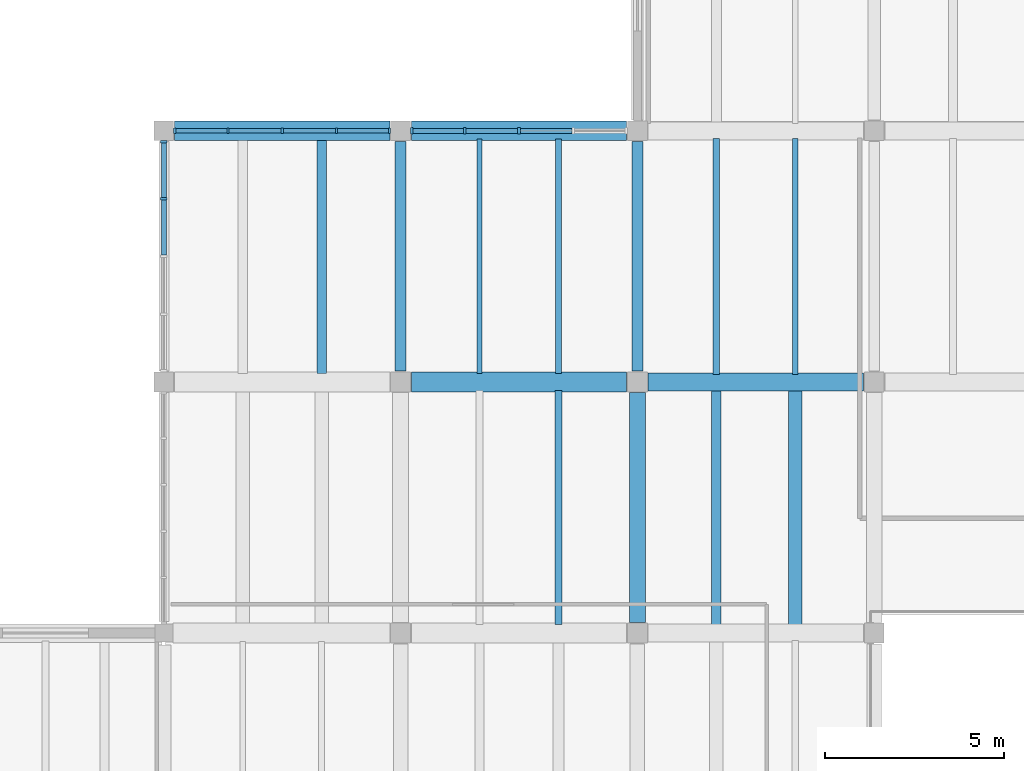
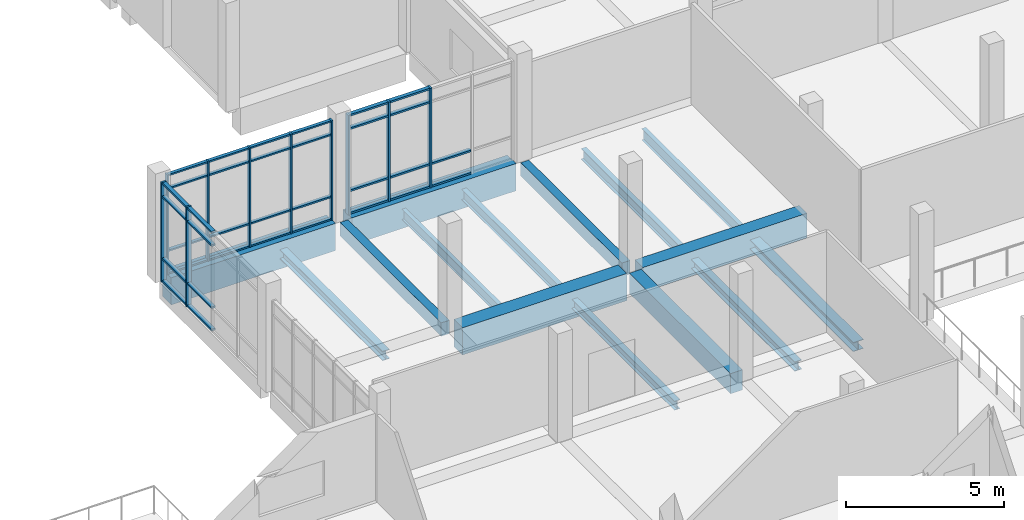
# One storey, part 7 of 65: 44 members, 15 beams, 3 elements without a shape of their own.
"""IFC4 building model written with IfcOpenShell, lengths in metres."""

from ifc_helpers import new_model, si_unit, direction, frame, origin, origin_2d, place, context, subcontext, project, spatial, rectangle, i_section, extrude, material, material_profile, profile_set, type_object, element, aggregate, save


model = new_model("IFC4")

# Units and contexts
model_context = context("Model", 3, precision=1e-05, world=origin(), true_north=direction((0.0, 1.0)))
body_context = subcontext(model_context, "Body", "Model", "MODEL_VIEW")
ifc_project = project(units=[si_unit("LENGTHUNIT", "METRE"), si_unit("AREAUNIT", "SQUARE_METRE"), si_unit("VOLUMEUNIT", "CUBIC_METRE"), si_unit("PLANEANGLEUNIT", "RADIAN"), si_unit("MASSUNIT", "GRAM", prefix="KILO")], contexts=[model_context])

# Site, building, storey
site_placement = place(None, origin())
site = spatial("IfcSite", under=ifc_project, at=site_placement, CompositionType="ELEMENT")
building_placement = place(site_placement, origin())
building = spatial("IfcBuilding", under=site, at=building_placement, Name="Ciguamira Faculty of Natural Sciences", CompositionType="ELEMENT")
storey_placement = place(building_placement, frame((0.0, 0.0, 12.60009765625)))
storey = spatial("IfcBuildingStorey", under=building, at=storey_placement, Name="L03", CompositionType="ELEMENT", Elevation=12.60009765625)

# Curtain wall, members
ifc_material_1 = material(Name="Anodized aluminium curtain wall", Category="aluminium")
curtain_wall_type_1 = type_object("IfcCurtainWallType", Name="CurtainWall_CW-01", PredefinedType="USERDEFINED", material=ifc_material_1)
curtain_wall_1_placement = place(storey_placement, origin())
curtain_wall_1 = element("IfcCurtainWall", 1, at=curtain_wall_1_placement, inside=storey, type_object=curtain_wall_type_1, Name="L03 unitised curtain wall 0085", ObjectType="UNITISED CURTAIN WALL", PredefinedType="USERDEFINED")
ifc_material_2 = material(Name="Anodized aluminium mullion", Category="aluminium")
ifc_material_profile_1 = material_profile(ifc_material_2, rectangle(XDim=0.06005859375, YDim=0.159912109375, at=origin_2d()), Name="ALU-MUL-60X160")
ifc_profile_set_1 = profile_set([ifc_material_profile_1], Name="Anodized aluminium mullion")
member_type_1 = type_object("IfcMemberType", Name="CWMullion_CWM-01", PredefinedType="MULLION", material=ifc_profile_set_1)
member_1_placement = place(storey_placement, frame((51.0048828125, 38.0, 0.0), z_axis=(0.0, 0.0, 1.0), x_axis=(1.0, 0.0, 0.0)))
member_1 = element("IfcMember", 2, at=member_1_placement, type_object=member_type_1, Name="CW-01 mullion 1", PredefinedType="MULLION", context=body_context, shape_type="SweptSolid", body=[
    extrude(rectangle(XDim=0.06005859375, YDim=0.159912109375, at=origin_2d()), origin(), (0.0, 0.0, 1.0), 3.849853515625),
])
member_2_placement = place(storey_placement, frame((52.487548828125, 38.0, 0.0), z_axis=(0.0, 0.0, 1.0), x_axis=(1.0, 0.0, 0.0)))
member_2 = element("IfcMember", 3, at=member_2_placement, type_object=member_type_1, Name="CW-01 mullion 2", PredefinedType="MULLION", context=body_context, shape_type="SweptSolid", body=[
    extrude(rectangle(XDim=0.06005859375, YDim=0.159912109375, at=origin_2d()), origin(), (0.0, 0.0, 1.0), 3.849853515625),
])
member_3_placement = place(storey_placement, frame((54.0, 38.0, 0.0), z_axis=(0.0, 0.0, 1.0), x_axis=(1.0, 0.0, 0.0)))
member_3 = element("IfcMember", 4, at=member_3_placement, type_object=member_type_1, Name="CW-01 mullion 3", PredefinedType="MULLION", context=body_context, shape_type="SweptSolid", body=[
    extrude(rectangle(XDim=0.06005859375, YDim=0.159912109375, at=origin_2d()), origin(), (0.0, 0.0, 1.0), 3.849853515625),
])
member_4_placement = place(storey_placement, frame((55.512451171875, 38.0, 0.0), z_axis=(0.0, 0.0, 1.0), x_axis=(1.0, 0.0, 0.0)))
member_4 = element("IfcMember", 5, at=member_4_placement, type_object=member_type_1, Name="CW-01 mullion 4", PredefinedType="MULLION", context=body_context, shape_type="SweptSolid", body=[
    extrude(rectangle(XDim=0.06005859375, YDim=0.159912109375, at=origin_2d()), origin(), (0.0, 0.0, 1.0), 3.849853515625),
])
member_5_placement = place(storey_placement, frame((56.9951171875, 38.0, 0.0), z_axis=(0.0, 0.0, 1.0), x_axis=(1.0, 0.0, 0.0)))
member_5 = element("IfcMember", 6, at=member_5_placement, type_object=member_type_1, Name="CW-01 mullion 5", PredefinedType="MULLION", context=body_context, shape_type="SweptSolid", body=[
    extrude(rectangle(XDim=0.06005859375, YDim=0.159912109375, at=origin_2d()), origin(), (0.0, 0.0, 1.0), 3.849853515625),
])

curtain_wall_type_2 = type_object("IfcCurtainWallType", Name="CurtainWall_CW-02", PredefinedType="USERDEFINED", material=ifc_material_1)
curtain_wall_2_placement = place(storey_placement, origin())
curtain_wall_2 = element("IfcCurtainWall", 7, at=curtain_wall_2_placement, inside=storey, type_object=curtain_wall_type_2, Name="L03 unitised curtain wall 0086", ObjectType="UNITISED CURTAIN WALL", PredefinedType="USERDEFINED")
ifc_material_profile_2 = material_profile(ifc_material_2, rectangle(XDim=0.070068359375, YDim=0.179931640625, at=origin_2d()), Name="ALU-MUL-70X180")
ifc_profile_set_2 = profile_set([ifc_material_profile_2], Name="Anodized aluminium mullion")
member_type_2 = type_object("IfcMemberType", Name="CWMullion_CWM-02", PredefinedType="MULLION", material=ifc_profile_set_2)
member_6_placement = place(storey_placement, frame((57.610107421875, 38.0, 0.0), z_axis=(0.0, 0.0, 1.0), x_axis=(1.0, 0.0, 0.0)))
member_6 = element("IfcMember", 8, at=member_6_placement, type_object=member_type_2, Name="CW-02 mullion 1", PredefinedType="MULLION", context=body_context, shape_type="SweptSolid", body=[
    extrude(rectangle(XDim=0.070068359375, YDim=0.179931640625, at=origin_2d()), origin(), (0.0, 0.0, 1.0), 3.849853515625),
])
member_7_placement = place(storey_placement, frame((59.08740234375, 38.0, 0.0), z_axis=(0.0, 0.0, 1.0), x_axis=(1.0, 0.0, 0.0)))
member_7 = element("IfcMember", 9, at=member_7_placement, type_object=member_type_2, Name="CW-02 mullion 2", PredefinedType="MULLION", context=body_context, shape_type="SweptSolid", body=[
    extrude(rectangle(XDim=0.070068359375, YDim=0.179931640625, at=origin_2d()), origin(), (0.0, 0.0, 1.0), 3.849853515625),
])
member_8_placement = place(storey_placement, frame((60.60009765625, 38.0, 0.0), z_axis=(0.0, 0.0, 1.0), x_axis=(1.0, 0.0, 0.0)))
member_8 = element("IfcMember", 10, at=member_8_placement, type_object=member_type_2, Name="CW-02 mullion 3", PredefinedType="MULLION", context=body_context, shape_type="SweptSolid", body=[
    extrude(rectangle(XDim=0.070068359375, YDim=0.179931640625, at=origin_2d()), origin(), (0.0, 0.0, 1.0), 3.849853515625),
])

curtain_wall_type_3 = type_object("IfcCurtainWallType", Name="CurtainWall_CW-05", PredefinedType="USERDEFINED", material=ifc_material_1)
curtain_wall_3_placement = place(storey_placement, origin())
curtain_wall_3 = element("IfcCurtainWall", 11, at=curtain_wall_3_placement, inside=storey, type_object=curtain_wall_type_3, Name="L03 unitised curtain wall 0101", ObjectType="UNITISED CURTAIN WALL", PredefinedType="USERDEFINED")
member_9_placement = place(storey_placement, frame((50.699951171875, 36.112548828125, 0.0), z_axis=(0.0, 0.0, 1.0), x_axis=(0.0, 1.0, 0.0)))
member_9 = element("IfcMember", 12, at=member_9_placement, type_object=member_type_2, Name="CW-05 mullion 4", PredefinedType="MULLION", context=body_context, shape_type="SweptSolid", body=[
    extrude(rectangle(XDim=0.070068359375, YDim=0.179931640625, at=origin_2d()), origin(), (0.0, 0.0, 1.0), 3.849853515625),
])
member_10_placement = place(storey_placement, frame((50.699951171875, 37.68994140625, 0.0), z_axis=(0.0, 0.0, 1.0), x_axis=(0.0, 1.0, 0.0)))
member_10 = element("IfcMember", 13, at=member_10_placement, type_object=member_type_2, Name="CW-05 mullion 5", PredefinedType="MULLION", context=body_context, shape_type="SweptSolid", body=[
    extrude(rectangle(XDim=0.070068359375, YDim=0.179931640625, at=origin_2d()), origin(), (0.0, 0.0, 1.0), 3.849853515625),
])

# Member
ifc_material_3 = material(Name="Anodized aluminium transom", Category="aluminium")
ifc_material_profile_3 = material_profile(ifc_material_3, rectangle(XDim=0.06005859375, YDim=0.1201171875, at=origin_2d()), Name="ALU-TRN-60X120")
ifc_profile_set_3 = profile_set([ifc_material_profile_3], Name="Anodized aluminium transom")
member_type_3 = type_object("IfcMemberType", Name="CWTransom_CWT-01", PredefinedType="USERDEFINED", material=ifc_profile_set_3)
member_11_placement = place(storey_placement, frame((51.034912109375, 38.0, 0.02978515625), z_axis=(1.0, 0.0, 0.0), x_axis=(0.0, 0.0, 1.0)))
member_11 = element("IfcMember", 14, at=member_11_placement, type_object=member_type_3, Name="CW-01 transom 1.1", ObjectType="TRANSOM", PredefinedType="USERDEFINED", context=body_context, shape_type="SweptSolid", body=[
    extrude(rectangle(XDim=0.06005859375, YDim=0.1201171875, at=origin_2d()), origin(), (0.0, 0.0, 1.0), 1.422607421875),
])

member_12_placement = place(storey_placement, frame((51.034912109375, 38.0, 0.89990234375), z_axis=(1.0, 0.0, 0.0), x_axis=(0.0, 0.0, 1.0)))
member_12 = element("IfcMember", 15, at=member_12_placement, type_object=member_type_3, Name="CW-01 transom 1.2", ObjectType="TRANSOM", PredefinedType="USERDEFINED", context=body_context, shape_type="SweptSolid", body=[
    extrude(rectangle(XDim=0.06005859375, YDim=0.1201171875, at=origin_2d()), origin(), (0.0, 0.0, 1.0), 1.422607421875),
])

member_13_placement = place(storey_placement, frame((51.034912109375, 38.0, 3.2998046875), z_axis=(1.0, 0.0, 0.0), x_axis=(0.0, 0.0, 1.0)))
member_13 = element("IfcMember", 16, at=member_13_placement, type_object=member_type_3, Name="CW-01 transom 1.3", ObjectType="TRANSOM", PredefinedType="USERDEFINED", context=body_context, shape_type="SweptSolid", body=[
    extrude(rectangle(XDim=0.06005859375, YDim=0.1201171875, at=origin_2d()), origin(), (0.0, 0.0, 1.0), 1.422607421875),
])

member_14_placement = place(storey_placement, frame((51.034912109375, 38.0, 3.81982421875), z_axis=(1.0, 0.0, 0.0), x_axis=(0.0, 0.0, 1.0)))
member_14 = element("IfcMember", 17, at=member_14_placement, type_object=member_type_3, Name="CW-01 transom 1.4", ObjectType="TRANSOM", PredefinedType="USERDEFINED", context=body_context, shape_type="SweptSolid", body=[
    extrude(rectangle(XDim=0.06005859375, YDim=0.1201171875, at=origin_2d()), origin(), (0.0, 0.0, 1.0), 1.422607421875),
])

member_15_placement = place(storey_placement, frame((52.517578125, 38.0, 0.02978515625), z_axis=(1.0, 0.0, 0.0), x_axis=(0.0, 0.0, 1.0)))
member_15 = element("IfcMember", 18, at=member_15_placement, type_object=member_type_3, Name="CW-01 transom 2.1", ObjectType="TRANSOM", PredefinedType="USERDEFINED", context=body_context, shape_type="SweptSolid", body=[
    extrude(rectangle(XDim=0.06005859375, YDim=0.1201171875, at=origin_2d()), origin(), (0.0, 0.0, 1.0), 1.452392578125),
])

member_16_placement = place(storey_placement, frame((52.517578125, 38.0, 0.89990234375), z_axis=(1.0, 0.0, 0.0), x_axis=(0.0, 0.0, 1.0)))
member_16 = element("IfcMember", 19, at=member_16_placement, type_object=member_type_3, Name="CW-01 transom 2.2", ObjectType="TRANSOM", PredefinedType="USERDEFINED", context=body_context, shape_type="SweptSolid", body=[
    extrude(rectangle(XDim=0.06005859375, YDim=0.1201171875, at=origin_2d()), origin(), (0.0, 0.0, 1.0), 1.452392578125),
])

member_17_placement = place(storey_placement, frame((52.517578125, 38.0, 3.2998046875), z_axis=(1.0, 0.0, 0.0), x_axis=(0.0, 0.0, 1.0)))
member_17 = element("IfcMember", 20, at=member_17_placement, type_object=member_type_3, Name="CW-01 transom 2.3", ObjectType="TRANSOM", PredefinedType="USERDEFINED", context=body_context, shape_type="SweptSolid", body=[
    extrude(rectangle(XDim=0.06005859375, YDim=0.1201171875, at=origin_2d()), origin(), (0.0, 0.0, 1.0), 1.452392578125),
])

member_18_placement = place(storey_placement, frame((52.517578125, 38.0, 3.81982421875), z_axis=(1.0, 0.0, 0.0), x_axis=(0.0, 0.0, 1.0)))
member_18 = element("IfcMember", 21, at=member_18_placement, type_object=member_type_3, Name="CW-01 transom 2.4", ObjectType="TRANSOM", PredefinedType="USERDEFINED", context=body_context, shape_type="SweptSolid", body=[
    extrude(rectangle(XDim=0.06005859375, YDim=0.1201171875, at=origin_2d()), origin(), (0.0, 0.0, 1.0), 1.452392578125),
])

member_19_placement = place(storey_placement, frame((54.030029296875, 38.0, 0.02978515625), z_axis=(1.0, 0.0, 0.0), x_axis=(0.0, 0.0, 1.0)))
member_19 = element("IfcMember", 22, at=member_19_placement, type_object=member_type_3, Name="CW-01 transom 3.1", ObjectType="TRANSOM", PredefinedType="USERDEFINED", context=body_context, shape_type="SweptSolid", body=[
    extrude(rectangle(XDim=0.06005859375, YDim=0.1201171875, at=origin_2d()), origin(), (0.0, 0.0, 1.0), 1.452392578125),
])

member_20_placement = place(storey_placement, frame((54.030029296875, 38.0, 0.89990234375), z_axis=(1.0, 0.0, 0.0), x_axis=(0.0, 0.0, 1.0)))
member_20 = element("IfcMember", 23, at=member_20_placement, type_object=member_type_3, Name="CW-01 transom 3.2", ObjectType="TRANSOM", PredefinedType="USERDEFINED", context=body_context, shape_type="SweptSolid", body=[
    extrude(rectangle(XDim=0.06005859375, YDim=0.1201171875, at=origin_2d()), origin(), (0.0, 0.0, 1.0), 1.452392578125),
])

member_21_placement = place(storey_placement, frame((54.030029296875, 38.0, 3.2998046875), z_axis=(1.0, 0.0, 0.0), x_axis=(0.0, 0.0, 1.0)))
member_21 = element("IfcMember", 24, at=member_21_placement, type_object=member_type_3, Name="CW-01 transom 3.3", ObjectType="TRANSOM", PredefinedType="USERDEFINED", context=body_context, shape_type="SweptSolid", body=[
    extrude(rectangle(XDim=0.06005859375, YDim=0.1201171875, at=origin_2d()), origin(), (0.0, 0.0, 1.0), 1.452392578125),
])

member_22_placement = place(storey_placement, frame((54.030029296875, 38.0, 3.81982421875), z_axis=(1.0, 0.0, 0.0), x_axis=(0.0, 0.0, 1.0)))
member_22 = element("IfcMember", 25, at=member_22_placement, type_object=member_type_3, Name="CW-01 transom 3.4", ObjectType="TRANSOM", PredefinedType="USERDEFINED", context=body_context, shape_type="SweptSolid", body=[
    extrude(rectangle(XDim=0.06005859375, YDim=0.1201171875, at=origin_2d()), origin(), (0.0, 0.0, 1.0), 1.452392578125),
])

member_23_placement = place(storey_placement, frame((55.54248046875, 38.0, 0.02978515625), z_axis=(1.0, 0.0, 0.0), x_axis=(0.0, 0.0, 1.0)))
member_23 = element("IfcMember", 26, at=member_23_placement, type_object=member_type_3, Name="CW-01 transom 4.1", ObjectType="TRANSOM", PredefinedType="USERDEFINED", context=body_context, shape_type="SweptSolid", body=[
    extrude(rectangle(XDim=0.06005859375, YDim=0.1201171875, at=origin_2d()), origin(), (0.0, 0.0, 1.0), 1.422607421875),
])

member_24_placement = place(storey_placement, frame((55.54248046875, 38.0, 0.89990234375), z_axis=(1.0, 0.0, 0.0), x_axis=(0.0, 0.0, 1.0)))
member_24 = element("IfcMember", 27, at=member_24_placement, type_object=member_type_3, Name="CW-01 transom 4.2", ObjectType="TRANSOM", PredefinedType="USERDEFINED", context=body_context, shape_type="SweptSolid", body=[
    extrude(rectangle(XDim=0.06005859375, YDim=0.1201171875, at=origin_2d()), origin(), (0.0, 0.0, 1.0), 1.422607421875),
])

member_25_placement = place(storey_placement, frame((55.54248046875, 38.0, 3.2998046875), z_axis=(1.0, 0.0, 0.0), x_axis=(0.0, 0.0, 1.0)))
member_25 = element("IfcMember", 28, at=member_25_placement, type_object=member_type_3, Name="CW-01 transom 4.3", ObjectType="TRANSOM", PredefinedType="USERDEFINED", context=body_context, shape_type="SweptSolid", body=[
    extrude(rectangle(XDim=0.06005859375, YDim=0.1201171875, at=origin_2d()), origin(), (0.0, 0.0, 1.0), 1.422607421875),
])

member_26_placement = place(storey_placement, frame((55.54248046875, 38.0, 3.81982421875), z_axis=(1.0, 0.0, 0.0), x_axis=(0.0, 0.0, 1.0)))
member_26 = element("IfcMember", 29, at=member_26_placement, type_object=member_type_3, Name="CW-01 transom 4.4", ObjectType="TRANSOM", PredefinedType="USERDEFINED", context=body_context, shape_type="SweptSolid", body=[
    extrude(rectangle(XDim=0.06005859375, YDim=0.1201171875, at=origin_2d()), origin(), (0.0, 0.0, 1.0), 1.422607421875),
])

aggregate(curtain_wall_1, [member_1, member_2, member_3, member_4, member_5, member_11, member_12, member_13, member_14, member_15, member_16, member_17, member_18, member_19, member_20, member_21, member_22, member_23, member_24, member_25, member_26])

ifc_material_profile_4 = material_profile(ifc_material_3, rectangle(XDim=0.070068359375, YDim=0.139892578125, at=origin_2d()), Name="ALU-TRN-70X140")
ifc_profile_set_4 = profile_set([ifc_material_profile_4], Name="Anodized aluminium transom")
member_type_4 = type_object("IfcMemberType", Name="CWTransom_CWT-02", PredefinedType="USERDEFINED", material=ifc_profile_set_4)
member_27_placement = place(storey_placement, frame((57.64501953125, 38.0, 0.034912109375), z_axis=(1.0, 0.0, 0.0), x_axis=(0.0, 0.0, 1.0)))
member_27 = element("IfcMember", 30, at=member_27_placement, type_object=member_type_4, Name="CW-02 transom 1.1", ObjectType="TRANSOM", PredefinedType="USERDEFINED", context=body_context, shape_type="SweptSolid", body=[
    extrude(rectangle(XDim=0.070068359375, YDim=0.139892578125, at=origin_2d()), origin(), (0.0, 0.0, 1.0), 1.407470703125),
])

member_28_placement = place(storey_placement, frame((57.64501953125, 38.0, 0.89990234375), z_axis=(1.0, 0.0, 0.0), x_axis=(0.0, 0.0, 1.0)))
member_28 = element("IfcMember", 31, at=member_28_placement, type_object=member_type_4, Name="CW-02 transom 1.2", ObjectType="TRANSOM", PredefinedType="USERDEFINED", context=body_context, shape_type="SweptSolid", body=[
    extrude(rectangle(XDim=0.070068359375, YDim=0.139892578125, at=origin_2d()), origin(), (0.0, 0.0, 1.0), 1.407470703125),
])

member_29_placement = place(storey_placement, frame((57.64501953125, 38.0, 3.2998046875), z_axis=(1.0, 0.0, 0.0), x_axis=(0.0, 0.0, 1.0)))
member_29 = element("IfcMember", 32, at=member_29_placement, type_object=member_type_4, Name="CW-02 transom 1.3", ObjectType="TRANSOM", PredefinedType="USERDEFINED", context=body_context, shape_type="SweptSolid", body=[
    extrude(rectangle(XDim=0.070068359375, YDim=0.139892578125, at=origin_2d()), origin(), (0.0, 0.0, 1.0), 1.407470703125),
])

member_30_placement = place(storey_placement, frame((57.64501953125, 38.0, 3.81494140625), z_axis=(1.0, 0.0, 0.0), x_axis=(0.0, 0.0, 1.0)))
member_30 = element("IfcMember", 33, at=member_30_placement, type_object=member_type_4, Name="CW-02 transom 1.4", ObjectType="TRANSOM", PredefinedType="USERDEFINED", context=body_context, shape_type="SweptSolid", body=[
    extrude(rectangle(XDim=0.070068359375, YDim=0.139892578125, at=origin_2d()), origin(), (0.0, 0.0, 1.0), 1.407470703125),
])

member_31_placement = place(storey_placement, frame((59.12255859375, 38.0, 0.034912109375), z_axis=(1.0, 0.0, 0.0), x_axis=(0.0, 0.0, 1.0)))
member_31 = element("IfcMember", 34, at=member_31_placement, type_object=member_type_4, Name="CW-02 transom 2.1", ObjectType="TRANSOM", PredefinedType="USERDEFINED", context=body_context, shape_type="SweptSolid", body=[
    extrude(rectangle(XDim=0.070068359375, YDim=0.139892578125, at=origin_2d()), origin(), (0.0, 0.0, 1.0), 1.4423828125),
])

member_32_placement = place(storey_placement, frame((59.12255859375, 38.0, 0.89990234375), z_axis=(1.0, 0.0, 0.0), x_axis=(0.0, 0.0, 1.0)))
member_32 = element("IfcMember", 35, at=member_32_placement, type_object=member_type_4, Name="CW-02 transom 2.2", ObjectType="TRANSOM", PredefinedType="USERDEFINED", context=body_context, shape_type="SweptSolid", body=[
    extrude(rectangle(XDim=0.070068359375, YDim=0.139892578125, at=origin_2d()), origin(), (0.0, 0.0, 1.0), 1.4423828125),
])

member_33_placement = place(storey_placement, frame((59.12255859375, 38.0, 3.2998046875), z_axis=(1.0, 0.0, 0.0), x_axis=(0.0, 0.0, 1.0)))
member_33 = element("IfcMember", 36, at=member_33_placement, type_object=member_type_4, Name="CW-02 transom 2.3", ObjectType="TRANSOM", PredefinedType="USERDEFINED", context=body_context, shape_type="SweptSolid", body=[
    extrude(rectangle(XDim=0.070068359375, YDim=0.139892578125, at=origin_2d()), origin(), (0.0, 0.0, 1.0), 1.4423828125),
])

member_34_placement = place(storey_placement, frame((59.12255859375, 38.0, 3.81494140625), z_axis=(1.0, 0.0, 0.0), x_axis=(0.0, 0.0, 1.0)))
member_34 = element("IfcMember", 37, at=member_34_placement, type_object=member_type_4, Name="CW-02 transom 2.4", ObjectType="TRANSOM", PredefinedType="USERDEFINED", context=body_context, shape_type="SweptSolid", body=[
    extrude(rectangle(XDim=0.070068359375, YDim=0.139892578125, at=origin_2d()), origin(), (0.0, 0.0, 1.0), 1.4423828125),
])

member_35_placement = place(storey_placement, frame((60.635009765625, 38.0, 0.034912109375), z_axis=(1.0, 0.0, 0.0), x_axis=(0.0, 0.0, 1.0)))
member_35 = element("IfcMember", 38, at=member_35_placement, type_object=member_type_4, Name="CW-02 transom 3.1", ObjectType="TRANSOM", PredefinedType="USERDEFINED", context=body_context, shape_type="SweptSolid", body=[
    extrude(rectangle(XDim=0.070068359375, YDim=0.139892578125, at=origin_2d()), origin(), (0.0, 0.0, 1.0), 1.4423828125),
])

member_36_placement = place(storey_placement, frame((60.635009765625, 38.0, 0.89990234375), z_axis=(1.0, 0.0, 0.0), x_axis=(0.0, 0.0, 1.0)))
member_36 = element("IfcMember", 39, at=member_36_placement, type_object=member_type_4, Name="CW-02 transom 3.2", ObjectType="TRANSOM", PredefinedType="USERDEFINED", context=body_context, shape_type="SweptSolid", body=[
    extrude(rectangle(XDim=0.070068359375, YDim=0.139892578125, at=origin_2d()), origin(), (0.0, 0.0, 1.0), 1.4423828125),
])

aggregate(curtain_wall_2, [member_6, member_7, member_8, member_27, member_28, member_29, member_30, member_31, member_32, member_33, member_34, member_35, member_36])

member_37_placement = place(storey_placement, frame((50.699951171875, 34.534912109375, 0.034912109375), z_axis=(0.0, 1.0, 0.0), x_axis=(0.0, 0.0, 1.0)))
member_37 = element("IfcMember", 40, at=member_37_placement, type_object=member_type_4, Name="CW-05 transom 3.1", ObjectType="TRANSOM", PredefinedType="USERDEFINED", context=body_context, shape_type="SweptSolid", body=[
    extrude(rectangle(XDim=0.070068359375, YDim=0.139892578125, at=origin_2d()), origin(), (0.0, 0.0, 1.0), 1.54248046875),
])

member_38_placement = place(storey_placement, frame((50.699951171875, 34.534912109375, 0.89990234375), z_axis=(0.0, 1.0, 0.0), x_axis=(0.0, 0.0, 1.0)))
member_38 = element("IfcMember", 41, at=member_38_placement, type_object=member_type_4, Name="CW-05 transom 3.2", ObjectType="TRANSOM", PredefinedType="USERDEFINED", context=body_context, shape_type="SweptSolid", body=[
    extrude(rectangle(XDim=0.070068359375, YDim=0.139892578125, at=origin_2d()), origin(), (0.0, 0.0, 1.0), 1.54248046875),
])

member_39_placement = place(storey_placement, frame((50.699951171875, 34.534912109375, 3.2998046875), z_axis=(0.0, 1.0, 0.0), x_axis=(0.0, 0.0, 1.0)))
member_39 = element("IfcMember", 42, at=member_39_placement, type_object=member_type_4, Name="CW-05 transom 3.3", ObjectType="TRANSOM", PredefinedType="USERDEFINED", context=body_context, shape_type="SweptSolid", body=[
    extrude(rectangle(XDim=0.070068359375, YDim=0.139892578125, at=origin_2d()), origin(), (0.0, 0.0, 1.0), 1.54248046875),
])

member_40_placement = place(storey_placement, frame((50.699951171875, 34.534912109375, 3.81494140625), z_axis=(0.0, 1.0, 0.0), x_axis=(0.0, 0.0, 1.0)))
member_40 = element("IfcMember", 43, at=member_40_placement, type_object=member_type_4, Name="CW-05 transom 3.4", ObjectType="TRANSOM", PredefinedType="USERDEFINED", context=body_context, shape_type="SweptSolid", body=[
    extrude(rectangle(XDim=0.070068359375, YDim=0.139892578125, at=origin_2d()), origin(), (0.0, 0.0, 1.0), 1.54248046875),
])

member_41_placement = place(storey_placement, frame((50.699951171875, 36.1474609375, 0.034912109375), z_axis=(0.0, 1.0, 0.0), x_axis=(0.0, 0.0, 1.0)))
member_41 = element("IfcMember", 44, at=member_41_placement, type_object=member_type_4, Name="CW-05 transom 4.1", ObjectType="TRANSOM", PredefinedType="USERDEFINED", context=body_context, shape_type="SweptSolid", body=[
    extrude(rectangle(XDim=0.070068359375, YDim=0.139892578125, at=origin_2d()), origin(), (0.0, 0.0, 1.0), 1.507568359375),
])

member_42_placement = place(storey_placement, frame((50.699951171875, 36.1474609375, 0.89990234375), z_axis=(0.0, 1.0, 0.0), x_axis=(0.0, 0.0, 1.0)))
member_42 = element("IfcMember", 45, at=member_42_placement, type_object=member_type_4, Name="CW-05 transom 4.2", ObjectType="TRANSOM", PredefinedType="USERDEFINED", context=body_context, shape_type="SweptSolid", body=[
    extrude(rectangle(XDim=0.070068359375, YDim=0.139892578125, at=origin_2d()), origin(), (0.0, 0.0, 1.0), 1.507568359375),
])

member_43_placement = place(storey_placement, frame((50.699951171875, 36.1474609375, 3.2998046875), z_axis=(0.0, 1.0, 0.0), x_axis=(0.0, 0.0, 1.0)))
member_43 = element("IfcMember", 46, at=member_43_placement, type_object=member_type_4, Name="CW-05 transom 4.3", ObjectType="TRANSOM", PredefinedType="USERDEFINED", context=body_context, shape_type="SweptSolid", body=[
    extrude(rectangle(XDim=0.070068359375, YDim=0.139892578125, at=origin_2d()), origin(), (0.0, 0.0, 1.0), 1.507568359375),
])

member_44_placement = place(storey_placement, frame((50.699951171875, 36.1474609375, 3.81494140625), z_axis=(0.0, 1.0, 0.0), x_axis=(0.0, 0.0, 1.0)))
member_44 = element("IfcMember", 47, at=member_44_placement, type_object=member_type_4, Name="CW-05 transom 4.4", ObjectType="TRANSOM", PredefinedType="USERDEFINED", context=body_context, shape_type="SweptSolid", body=[
    extrude(rectangle(XDim=0.070068359375, YDim=0.139892578125, at=origin_2d()), origin(), (0.0, 0.0, 1.0), 1.507568359375),
])

aggregate(curtain_wall_3, [member_9, member_10, member_37, member_38, member_39, member_40, member_41, member_42, member_43, member_44])

# Beams
ifc_material_4 = material(Name="Concrete C40/50", Category="concrete")
ifc_material_profile_5 = material_profile(ifc_material_4, rectangle(XDim=0.550048828125, YDim=1.050048828125, at=origin_2d()), Name="RC-BM-550X1050")
ifc_profile_set_5 = profile_set([ifc_material_profile_5], Name="Concrete C40/50")
beam_type_1 = type_object("IfcBeamType", Name="RCBeam_BG-01_RC-BM-550X1050", PredefinedType="BEAM", material=ifc_profile_set_5)
for number, where, z_axis, x_axis, name in (
    (48, (57.60009765625, 31.0, -0.525146484375), (1.0, 0.0, 0.0), (0.0, 1.0, 0.0), "L03 RC girder EW-1070"),
    (49, (51.0, 38.0, -0.525146484375), (1.0, 0.0, 0.0), (0.0, 1.0, 0.0), "L03 RC girder EW-1080"),
    (50, (57.60009765625, 38.0, -0.525146484375), (1.0, 0.0, 0.0), (0.0, 1.0, 0.0), "L03 RC girder EW-1081"),
):
    element("IfcBeam", number, at=place(storey_placement, frame(where, z_axis=z_axis, x_axis=x_axis)), inside=storey, type_object=beam_type_1, Name=name, PredefinedType="BEAM", context=body_context, shape_type="SweptSolid", body=[
        extrude(rectangle(XDim=0.550048828125, YDim=1.050048828125, at=origin_2d()), origin(), (0.0, 0.0, 1.0), 6.0),
    ])
ifc_material_profile_6 = material_profile(ifc_material_4, rectangle(XDim=0.5, YDim=0.949951171875, at=origin_2d()), Name="RC-BM-500X950")
ifc_profile_set_6 = profile_set([ifc_material_profile_6], Name="Concrete C40/50")
beam_type_2 = type_object("IfcBeamType", Name="RCBeam_BG-02_RC-BM-500X950", PredefinedType="BEAM", material=ifc_profile_set_6)
beam_1_placement = place(storey_placement, frame((64.199951171875, 31.0, -0.47509765625), z_axis=(1.0, 0.0, 0.0), x_axis=(0.0, 1.0, 0.0)))
element("IfcBeam", 51, at=beam_1_placement, inside=storey, type_object=beam_type_2, Name="L03 RC girder EW-1071", PredefinedType="BEAM", context=body_context, shape_type="SweptSolid", body=[
    extrude(rectangle(XDim=0.5, YDim=0.949951171875, at=origin_2d()), origin(), (0.0, 0.0, 1.0), 6.0),
])
ifc_material_profile_7 = material_profile(ifc_material_4, rectangle(XDim=0.43994140625, YDim=0.780029296875, at=origin_2d()), Name="RC-BM-440X780")
ifc_profile_set_7 = profile_set([ifc_material_profile_7], Name="Concrete C40/50")
beam_type_3 = type_object("IfcBeamType", Name="RCBeam_BG-06_RC-BM-440X780", PredefinedType="BEAM", material=ifc_profile_set_7)
beam_2_placement = place(storey_placement, frame((63.89990234375, 24.300048828125, -0.39013671875), z_axis=(0.0, 1.0, 0.0), x_axis=(-1.0, 0.0, 0.0)))
element("IfcBeam", 52, at=beam_2_placement, inside=storey, type_object=beam_type_3, Name="L03 girder NS-1217", PredefinedType="BEAM", context=body_context, shape_type="SweptSolid", body=[
    extrude(rectangle(XDim=0.43994140625, YDim=0.780029296875, at=origin_2d()), origin(), (0.0, 0.0, 1.0), 6.39990234375),
])
ifc_material_profile_8 = material_profile(ifc_material_4, rectangle(XDim=0.300048828125, YDim=0.52001953125, at=origin_2d()), Name="RC-BM-300X520")
ifc_profile_set_8 = profile_set([ifc_material_profile_8], Name="Concrete C40/50")
beam_type_4 = type_object("IfcBeamType", Name="RCBeam_BG-13_RC-BM-300X520", PredefinedType="BEAM", material=ifc_profile_set_8)
for number, where, z_axis, x_axis, name in (
    (53, (57.300048828125, 31.300048828125, -0.260009765625), (0.0, 1.0, 0.0), (-1.0, 0.0, 0.0), "L03 girder NS-1207"),
    (54, (63.89990234375, 31.300048828125, -0.260009765625), (0.0, 1.0, 0.0), (-1.0, 0.0, 0.0), "L03 girder NS-1218"),
):
    element("IfcBeam", number, at=place(storey_placement, frame(where, z_axis=z_axis, x_axis=x_axis)), inside=storey, type_object=beam_type_4, Name=name, PredefinedType="BEAM", context=body_context, shape_type="SweptSolid", body=[
        extrude(rectangle(XDim=0.300048828125, YDim=0.52001953125, at=origin_2d()), origin(), (0.0, 0.0, 1.0), 6.39990234375),
    ])
ifc_material_5 = material(Name="Steel ASTM A992 Grade 50", Category="steel")
ifc_material_profile_9 = material_profile(ifc_material_5, i_section(OverallWidth=0.204833984375, OverallDepth=0.35302734375, WebThickness=0.00927734375, FlangeThickness=0.016845703125, at=origin_2d()), Name="W14X53")
ifc_profile_set_9 = profile_set([ifc_material_profile_9], Name="Steel ASTM A992 Grade 50")
beam_type_5 = type_object("IfcBeamType", Name="SteelJoist_SJ-13_W14X53", PredefinedType="JOIST", material=ifc_profile_set_9)
beam_3_placement = place(storey_placement, frame((61.699951171875, 24.235107421875, -0.4765625), z_axis=(0.0, 1.0, 0.0), x_axis=(-1.0, 0.0, 0.0)))
element("IfcBeam", 55, at=beam_3_placement, inside=storey, type_object=beam_type_5, Name="L03 composite steel joist 01024", PredefinedType="JOIST", context=body_context, shape_type="SweptSolid", body=[
    extrude(i_section(OverallWidth=0.204833984375, OverallDepth=0.35302734375, WebThickness=0.00927734375, FlangeThickness=0.016845703125, at=origin_2d()), origin(), (0.0, 0.0, 1.0), 6.52978515625),
])
ifc_material_profile_10 = material_profile(ifc_material_5, i_section(OverallWidth=0.256591796875, OverallDepth=0.36328125, WebThickness=0.012939453125, FlangeThickness=0.021728515625, at=origin_2d()), Name="W14X82")
ifc_profile_set_10 = profile_set([ifc_material_profile_10], Name="Steel ASTM A992 Grade 50")
beam_type_6 = type_object("IfcBeamType", Name="SteelJoist_SJ-15_W14X82", PredefinedType="JOIST", material=ifc_profile_set_10)
beam_4_placement = place(storey_placement, frame((55.10009765625, 31.235107421875, -0.481689453125), z_axis=(0.0, 1.0, 0.0), x_axis=(-1.0, 0.0, 0.0)))
element("IfcBeam", 56, at=beam_4_placement, inside=storey, type_object=beam_type_6, Name="L03 composite steel joist 01020", PredefinedType="JOIST", context=body_context, shape_type="SweptSolid", body=[
    extrude(i_section(OverallWidth=0.256591796875, OverallDepth=0.36328125, WebThickness=0.012939453125, FlangeThickness=0.021728515625, at=origin_2d()), origin(), (0.0, 0.0, 1.0), 6.52978515625),
])
beam_5_placement = place(storey_placement, frame((66.10009765625, 24.2099609375, -0.481689453125), z_axis=(0.0, 1.0, 0.0), x_axis=(-1.0, 0.0, 0.0)))
element("IfcBeam", 57, at=beam_5_placement, inside=storey, type_object=beam_type_6, Name="L03 composite steel joist 01051", PredefinedType="JOIST", context=body_context, shape_type="SweptSolid", body=[
    extrude(i_section(OverallWidth=0.256591796875, OverallDepth=0.36328125, WebThickness=0.012939453125, FlangeThickness=0.021728515625, at=origin_2d()), origin(), (0.0, 0.0, 1.0), 6.580078125),
])
ifc_material_profile_11 = material_profile(ifc_material_5, i_section(OverallWidth=0.368408203125, OverallDepth=0.355712890625, WebThickness=0.01123046875, FlangeThickness=0.01806640625, at=origin_2d()), Name="W14X90")
ifc_profile_set_11 = profile_set([ifc_material_profile_11], Name="Steel ASTM A992 Grade 50")
beam_type_7 = type_object("IfcBeamType", Name="SteelJoist_SJ-16_W14X90", PredefinedType="JOIST", material=ifc_profile_set_11)
beam_6_placement = place(storey_placement, frame((68.300048828125, 24.2099609375, -0.477783203125), z_axis=(0.0, 1.0, 0.0), x_axis=(-1.0, 0.0, 0.0)))
element("IfcBeam", 58, at=beam_6_placement, inside=storey, type_object=beam_type_7, Name="L03 composite steel joist 01052", PredefinedType="JOIST", context=body_context, shape_type="SweptSolid", body=[
    extrude(i_section(OverallWidth=0.368408203125, OverallDepth=0.355712890625, WebThickness=0.01123046875, FlangeThickness=0.01806640625, at=origin_2d()), origin(), (0.0, 0.0, 1.0), 6.580078125),
])
ifc_material_profile_12 = material_profile(ifc_material_5, i_section(OverallWidth=0.140380859375, OverallDepth=0.40380859375, WebThickness=0.007080078125, FlangeThickness=0.01123046875, at=origin_2d()), Name="W16X31")
ifc_profile_set_12 = profile_set([ifc_material_profile_12], Name="Steel ASTM A992 Grade 50")
beam_type_8 = type_object("IfcBeamType", Name="SteelJoist_SJ-17_W16X31", PredefinedType="JOIST", material=ifc_profile_set_12)
beam_7_placement = place(storey_placement, frame((59.5, 31.235107421875, -0.501953125), z_axis=(0.0, 1.0, 0.0), x_axis=(-1.0, 0.0, 0.0)))
element("IfcBeam", 59, at=beam_7_placement, inside=storey, type_object=beam_type_8, Name="L03 composite steel joist 01025", PredefinedType="JOIST", context=body_context, shape_type="SweptSolid", body=[
    extrude(i_section(OverallWidth=0.140380859375, OverallDepth=0.40380859375, WebThickness=0.007080078125, FlangeThickness=0.01123046875, at=origin_2d()), origin(), (0.0, 0.0, 1.0), 6.52978515625),
])
ifc_material_profile_13 = material_profile(ifc_material_5, i_section(OverallWidth=0.177490234375, OverallDepth=0.40380859375, WebThickness=0.007568359375, FlangeThickness=0.010986328125, at=origin_2d()), Name="W16X36")
ifc_profile_set_13 = profile_set([ifc_material_profile_13], Name="Steel ASTM A992 Grade 50")
beam_type_9 = type_object("IfcBeamType", Name="SteelJoist_SJ-18_W16X36", PredefinedType="JOIST", material=ifc_profile_set_13)
beam_8_placement = place(storey_placement, frame((61.699951171875, 31.235107421875, -0.501953125), z_axis=(0.0, 1.0, 0.0), x_axis=(-1.0, 0.0, 0.0)))
element("IfcBeam", 60, at=beam_8_placement, inside=storey, type_object=beam_type_9, Name="L03 composite steel joist 01026", PredefinedType="JOIST", context=body_context, shape_type="SweptSolid", body=[
    extrude(i_section(OverallWidth=0.177490234375, OverallDepth=0.40380859375, WebThickness=0.007568359375, FlangeThickness=0.010986328125, at=origin_2d()), origin(), (0.0, 0.0, 1.0), 6.52978515625),
])
ifc_material_profile_14 = material_profile(ifc_material_5, i_section(OverallWidth=0.180908203125, OverallDepth=0.41650390625, WebThickness=0.010986328125, FlangeThickness=0.01806640625, at=origin_2d()), Name="W16X57")
ifc_profile_set_14 = profile_set([ifc_material_profile_14], Name="Steel ASTM A992 Grade 50")
beam_type_10 = type_object("IfcBeamType", Name="SteelJoist_SJ-20_W16X57", PredefinedType="JOIST", material=ifc_profile_set_14)
beam_9_placement = place(storey_placement, frame((66.10009765625, 31.2099609375, -0.50830078125), z_axis=(0.0, 1.0, 0.0), x_axis=(-1.0, 0.0, 0.0)))
element("IfcBeam", 61, at=beam_9_placement, inside=storey, type_object=beam_type_10, Name="L03 composite steel joist 01053", PredefinedType="JOIST", context=body_context, shape_type="SweptSolid", body=[
    extrude(i_section(OverallWidth=0.180908203125, OverallDepth=0.41650390625, WebThickness=0.010986328125, FlangeThickness=0.01806640625, at=origin_2d()), origin(), (0.0, 0.0, 1.0), 6.580078125),
])
ifc_material_profile_15 = material_profile(ifc_material_5, i_section(OverallWidth=0.15234375, OverallDepth=0.449462890625, WebThickness=0.007568359375, FlangeThickness=0.0107421875, at=origin_2d()), Name="W18X35")
ifc_profile_set_15 = profile_set([ifc_material_profile_15], Name="Steel ASTM A992 Grade 50")
beam_type_11 = type_object("IfcBeamType", Name="SteelJoist_SJ-21_W18X35", PredefinedType="JOIST", material=ifc_profile_set_15)
beam_10_placement = place(storey_placement, frame((68.300048828125, 31.2099609375, -0.52490234375), z_axis=(0.0, 1.0, 0.0), x_axis=(-1.0, 0.0, 0.0)))
element("IfcBeam", 62, at=beam_10_placement, inside=storey, type_object=beam_type_11, Name="L03 composite steel joist 01054", PredefinedType="JOIST", context=body_context, shape_type="SweptSolid", body=[
    extrude(i_section(OverallWidth=0.15234375, OverallDepth=0.449462890625, WebThickness=0.007568359375, FlangeThickness=0.0107421875, at=origin_2d()), origin(), (0.0, 0.0, 1.0), 6.580078125),
])

save(model, "model.ifc")
